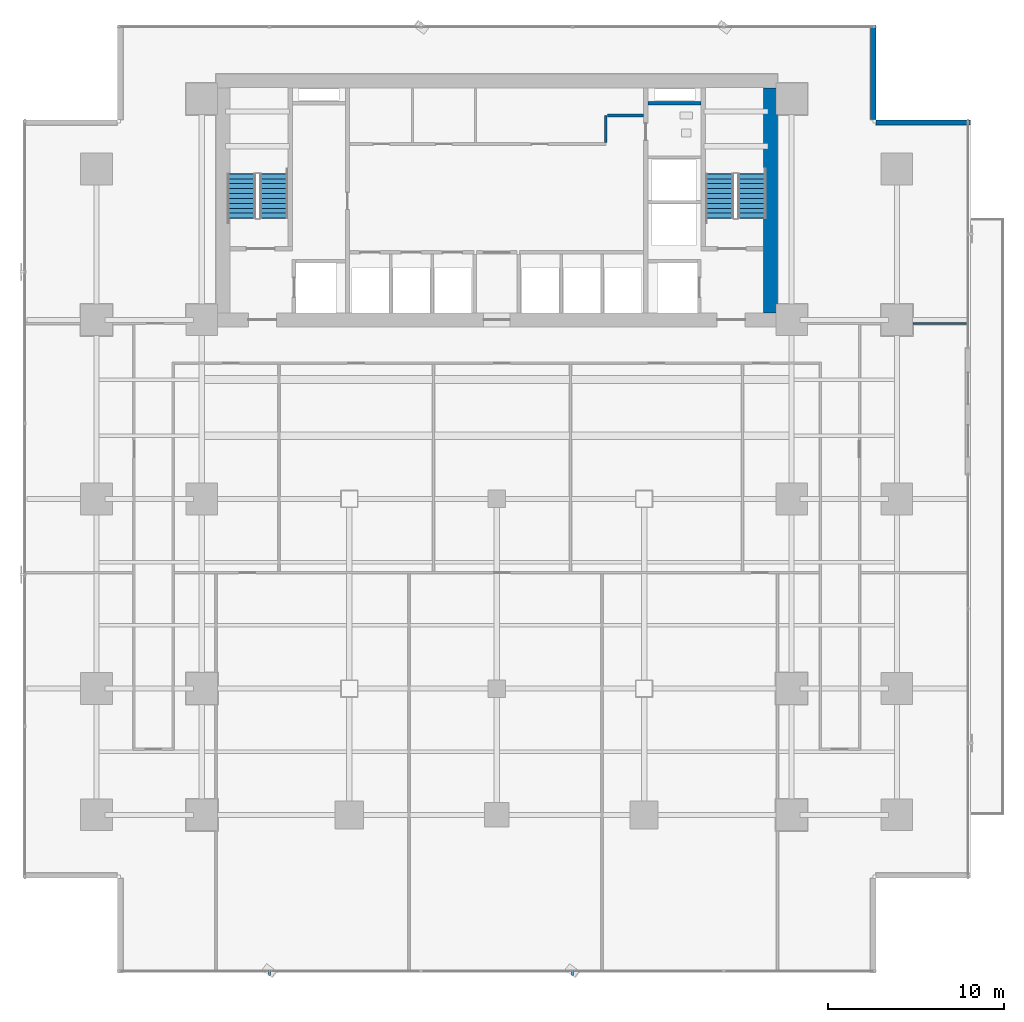
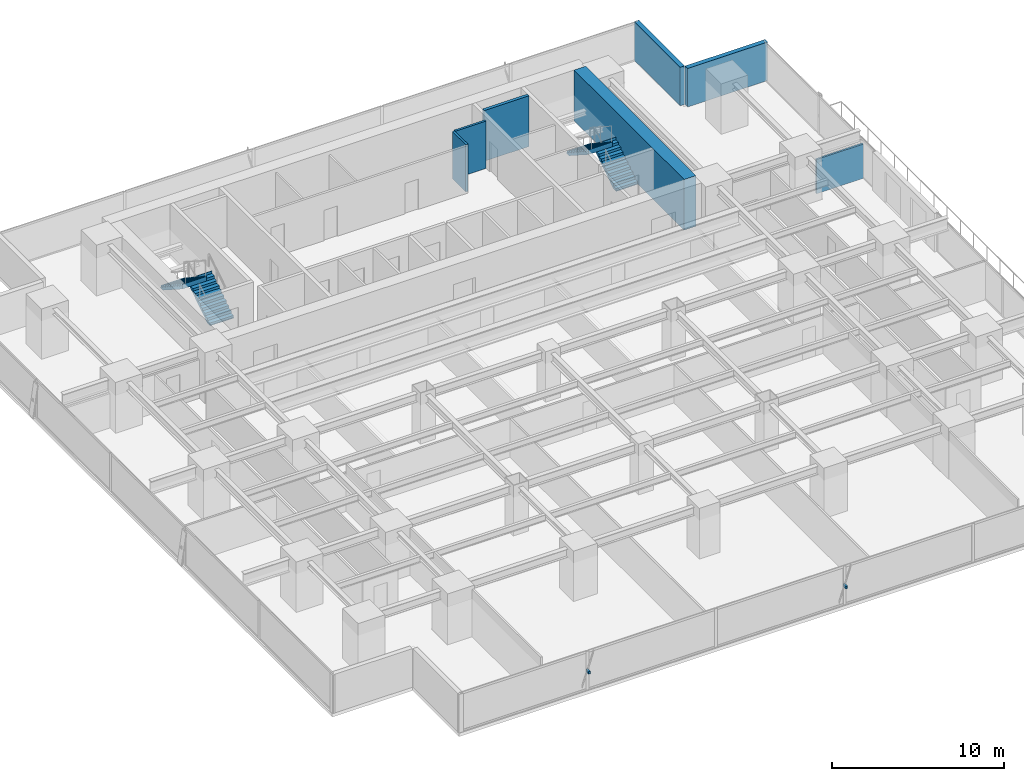
# One storey, part 27 of 33: 7 walls, 4 stair flights, 2 discrete accessories, 2 elements without a shape of their own.
"""IFC4 building model written with IfcOpenShell, lengths in metres."""

from ifc_helpers import new_model, si_unit, direction, frame, frame_2d, origin, origin_2d, place, context, subcontext, project, spatial, polyline, rectangle, outline, extrude, source, transform, mapped, material, layer, layer_set, material_profile, profile_set, type_object, element, aggregate, save


model = new_model("IFC4")

# Units and contexts
model_context = context("Model", 3, precision=1e-05, world=origin(), true_north=direction((0.0, 1.0)))
body_context = subcontext(model_context, "Body", "Model", "MODEL_VIEW")
ifc_project = project(units=[si_unit("LENGTHUNIT", "METRE"), si_unit("AREAUNIT", "SQUARE_METRE"), si_unit("VOLUMEUNIT", "CUBIC_METRE"), si_unit("PLANEANGLEUNIT", "RADIAN"), si_unit("MASSUNIT", "GRAM", prefix="KILO")], contexts=[model_context])

# Site, building, storey
site_placement = place(None, origin())
site = spatial("IfcSite", under=ifc_project, at=site_placement, CompositionType="ELEMENT")
building_placement = place(site_placement, origin())
building = spatial("IfcBuilding", under=site, at=building_placement, Name="Sumidabori Civic Tower", CompositionType="ELEMENT")
storey_placement = place(building_placement, frame((0.0, 0.0, 23.60009765625)))
storey = spatial("IfcBuildingStorey", under=building, at=storey_placement, Name="L05", CompositionType="ELEMENT", Elevation=23.60009765625)

# Walls
ifc_material_1 = material(Name="Concrete C60/75", Category="concrete")
ifc_layer_1 = layer(ifc_material_1, 0.800048828125, Name="Concrete C60/75")
ifc_layer_set_1 = layer_set([ifc_layer_1], Name="Concrete C60/75")
wall_type_1 = type_object("IfcWallType", Name="WL-CORE-800", PredefinedType="SHEAR", material=ifc_layer_set_1)
shared_shape_1 = source(origin(), body_context, "Body", "SweptSolid", [
    extrude(rectangle(XDim=12.7998046875, YDim=0.800048828125, at=frame_2d((6.39990234375, 0.0))), origin(), (0.0, 0.0, 1.0), 3.599853515625),
])
wall_1_placement = place(storey_placement, frame((15.60009765625, 10.60009765625, 0.0), z_axis=(0.0, 0.0, 1.0), x_axis=(0.0, 1.0, 0.0)))
element("IfcWall", 1, at=wall_1_placement, inside=storey, type_object=wall_type_1, Name="Core Shear Wall L05 E", PredefinedType="SHEAR", context=body_context, shape_type="MappedRepresentation", body=[
    mapped(shared_shape_1, transform((0.0, 0.0, 0.0), x_axis=(1.0, 0.0, 0.0), y_axis=(0.0, 1.0, 0.0), z_axis=(0.0, 0.0, 1.0), scale=1.0)),
])
ifc_material_2 = material(Name="Concrete C50/60", Category="concrete")
ifc_layer_2 = layer(ifc_material_2, 0.199951171875, Name="Concrete C50/60")
ifc_layer_set_2 = layer_set([ifc_layer_2], Name="Concrete C50/60")
wall_type_2 = type_object("IfcWallType", Name="WL-SHAFT-200", PredefinedType="SHEAR", material=ifc_layer_set_2)
shared_shape_2 = source(origin(), body_context, "Body", "SweptSolid", [
    extrude(rectangle(XDim=3.02001953125, YDim=0.199951171875, at=frame_2d((1.510009765625, 0.0))), origin(), (0.0, 0.0, 1.0), 3.599853515625),
])
wall_2_placement = place(storey_placement, frame((8.625, 22.550048828125, 0.0), z_axis=(0.0, 0.0, 1.0), x_axis=(1.0, 0.0, 0.0)))
element("IfcWall", 2, at=wall_2_placement, inside=storey, type_object=wall_type_2, Name="Core Shear Wall L05 RIS2-S", PredefinedType="SHEAR", context=body_context, shape_type="MappedRepresentation", body=[
    mapped(shared_shape_2, transform((0.0, 0.0, 0.0), x_axis=(1.0, 0.0, 0.0), y_axis=(0.0, 1.0, 0.0), z_axis=(0.0, 0.0, 1.0), scale=1.0)),
])
ifc_material_3 = material(Name="Precast concrete C40/50", Category="concrete")
ifc_layer_3 = layer(ifc_material_3, 0.300048828125, Name="Precast concrete C40/50")
ifc_layer_set_3 = layer_set([ifc_layer_3], Name="Precast concrete C40/50")
wall_type_3 = type_object("IfcWallType", Name="WL-EXT-POD300", PredefinedType="STANDARD", material=ifc_layer_set_3)
shared_shape_3 = source(origin(), body_context, "Body", "SweptSolid", [
    extrude(rectangle(XDim=5.35986328125, YDim=0.300048828125, at=frame_2d((2.679931640625, 0.0))), origin(), (0.0, 0.0, 1.0), 2.739990234375),
])
for number, where, z_axis, x_axis, name in (
    (3, (26.97998046875, 21.449951171875, 0.0), (0.0, 0.0, 1.0), (-1.0, 0.0, 0.0), "Notched Corner Spandrel Band L05-06"),
    (4, (21.449951171875, 21.6201171875, 0.0), (0.0, 0.0, 1.0), (0.0, 1.0, 0.0), "Notched Corner Spandrel Band L05-07"),
):
    element("IfcWall", number, at=place(storey_placement, frame(where, z_axis=z_axis, x_axis=x_axis)), inside=storey, type_object=wall_type_3, Name=name, PredefinedType="STANDARD", context=body_context, shape_type="MappedRepresentation", body=[
        mapped(shared_shape_3, transform((0.0, 0.0, 0.0), x_axis=(1.0, 0.0, 0.0), y_axis=(0.0, 1.0, 0.0), z_axis=(0.0, 0.0, 1.0), scale=1.0)),
    ])
ifc_material_4 = material(Name="Gypsum Plasterboard Acoustic Partition")
ifc_layer_4 = layer(ifc_material_4, 0.14990234375, Name="Gypsum Plasterboard Acoustic Partition")
ifc_layer_set_4 = layer_set([ifc_layer_4], Name="Gypsum Plasterboard Acoustic Partition")
wall_type_4 = type_object("IfcWallType", Name="WL-PART-150", PredefinedType="PARTITIONING", material=ifc_layer_set_4)
shared_shape_4 = source(origin(), body_context, "Body", "SweptSolid", [
    extrude(rectangle(XDim=1.550048828125, YDim=0.14990234375, at=frame_2d((0.77490234375, 0.0))), origin(), (0.0, 0.0, 1.0), 3.35986328125),
])
wall_3_placement = place(storey_placement, frame((6.219970703125, 20.300048828125, 0.0), z_axis=(0.0, 0.0, 1.0), x_axis=(0.0, 1.0, 0.0)))
element("IfcWall", 5, at=wall_3_placement, inside=storey, type_object=wall_type_4, Name="Interior Partition WL:L05:CBAND-ME1", PredefinedType="PARTITIONING", context=body_context, shape_type="MappedRepresentation", body=[
    mapped(shared_shape_4, transform((0.0, 0.0, 0.0), x_axis=(1.0, 0.0, 0.0), y_axis=(0.0, 1.0, 0.0), z_axis=(0.0, 0.0, 1.0), scale=1.0)),
])
shared_shape_5 = source(origin(), body_context, "Body", "SweptSolid", [
    extrude(rectangle(XDim=2.070068359375, YDim=0.14990234375, at=frame_2d((1.03515625, 0.0))), origin(), (0.0, 0.0, 1.0), 3.35986328125),
])
wall_4_placement = place(storey_placement, frame((6.300048828125, 21.85009765625, 0.0), z_axis=(0.0, 0.0, 1.0), x_axis=(1.0, 0.0, 0.0)))
element("IfcWall", 6, at=wall_4_placement, inside=storey, type_object=wall_type_4, Name="Interior Partition WL:L05:CBAND-ME2", PredefinedType="PARTITIONING", context=body_context, shape_type="MappedRepresentation", body=[
    mapped(shared_shape_5, transform((0.0, 0.0, 0.0), x_axis=(1.0, 0.0, 0.0), y_axis=(0.0, 1.0, 0.0), z_axis=(0.0, 0.0, 1.0), scale=1.0)),
])
ifc_layer_5 = layer(ifc_material_4, 0.1201171875, Name="Gypsum Plasterboard Acoustic Partition")
ifc_layer_set_5 = layer_set([ifc_layer_5], Name="Gypsum Plasterboard Acoustic Partition")
wall_type_5 = type_object("IfcWallType", Name="WL-PART-120", PredefinedType="PARTITIONING", material=ifc_layer_set_5)
shared_shape_6 = source(origin(), body_context, "Body", "SweptSolid", [
    extrude(rectangle(XDim=3.14013671875, YDim=0.1201171875, at=frame_2d((1.570068359375, 0.0))), origin(), (0.0, 0.0, 1.0), 2.434814453125),
])
wall_5_placement = place(storey_placement, frame((23.7099609375, 10.0, 0.0), z_axis=(0.0, 0.0, 1.0), x_axis=(1.0, 0.0, 0.0)))
element("IfcWall", 7, at=wall_5_placement, inside=storey, type_object=wall_type_5, Name="Interior Partition WL:L05:FLK-NE-2", PredefinedType="PARTITIONING", context=body_context, shape_type="MappedRepresentation", body=[
    mapped(shared_shape_6, transform((0.0, 0.0, 0.0), x_axis=(1.0, 0.0, 0.0), y_axis=(0.0, 1.0, 0.0), z_axis=(0.0, 0.0, 1.0), scale=1.0)),
])

# Stair, stair flights
ifc_material_5 = material(Name="Concrete C40/50", Category="concrete")
stair_type = type_object("IfcStairType", Name="ST-CORE-1600", PredefinedType="HALF_TURN_STAIR", material=ifc_material_5)
stair_1_placement = place(storey_placement, origin())
stair_1 = element("IfcStair", 8, at=stair_1_placement, inside=storey, type_object=stair_type, Name="L05 ST-1", PredefinedType="HALF_TURN_STAIR")
stair_flight_type = type_object("IfcStairFlightType", Name="SF-CORE-1600", PredefinedType="STRAIGHT", material=ifc_material_5)
shared_shape_7 = source(origin(), body_context, "Body", "SweptSolid", [
    extrude(outline(polyline([(-0.02490234375, 0.0), (-0.02490234375, 0.0400390625), (0.0, 0.0400390625), (0.0, 0.179931640625), (0.280029296875, 0.179931640625), (0.280029296875, 0.360107421875), (0.56005859375, 0.360107421875), (0.56005859375, 0.5400390625), (0.840087890625, 0.5400390625), (0.840087890625, 0.719970703125), (1.1201171875, 0.719970703125), (1.1201171875, 0.89990234375), (1.39990234375, 0.89990234375), (1.39990234375, 1.080078125), (1.679931640625, 1.080078125), (1.679931640625, 1.260009765625), (1.9599609375, 1.260009765625), (1.9599609375, 1.43994140625), (2.239990234375, 1.43994140625), (2.239990234375, 1.6201171875), (2.52001953125, 1.6201171875), (2.52001953125, 1.800048828125), (2.544921875, 1.800048828125), (2.544921875, 1.650146484375), (2.52001953125, 1.44189453125), (0.277099609375, 0.0), (-0.02490234375, 0.0)])), frame((0.0, 0.800048828125, 0.0), z_axis=(0.0, -1.0, 0.0), x_axis=(1.0, 0.0, 0.0)), (0.0, 0.0, 1.0), 1.60009765625),
])
stair_flight_1_placement = place(storey_placement, frame((-12.699951171875, 16.0, 0.0), z_axis=(0.0, 0.0, 1.0), x_axis=(0.0, 1.0, 0.0)))
stair_flight_1 = element("IfcStairFlight", 9, at=stair_flight_1_placement, type_object=stair_flight_type, Name="ST-1 flight 1", NumberOfRisers=10, NumberOfTreads=9, PredefinedType="STRAIGHT", RiserHeight=0.18, TreadLength=0.28, context=body_context, shape_type="MappedRepresentation", body=[
    mapped(shared_shape_7, transform((0.0, 0.0, 0.0), x_axis=(1.0, 0.0, 0.0), y_axis=(0.0, 1.0, 0.0), z_axis=(0.0, 0.0, 1.0), scale=1.0)),
])
stair_flight_2_placement = place(storey_placement, frame((-14.5400390625, 18.52001953125, 1.7998046875), z_axis=(0.0, 0.0, 1.0), x_axis=(0.0, -1.0, 0.0)))
stair_flight_2 = element("IfcStairFlight", 10, at=stair_flight_2_placement, type_object=stair_flight_type, Name="ST-1 flight 2", NumberOfRisers=10, NumberOfTreads=9, PredefinedType="STRAIGHT", RiserHeight=0.18, TreadLength=0.28, context=body_context, shape_type="MappedRepresentation", body=[
    mapped(shared_shape_7, transform((0.0, 0.0, 0.0), x_axis=(1.0, 0.0, 0.0), y_axis=(0.0, 1.0, 0.0), z_axis=(0.0, 0.0, 1.0), scale=1.0)),
])
aggregate(stair_1, [stair_flight_1, stair_flight_2])

stair_2_placement = place(storey_placement, origin())
stair_2 = element("IfcStair", 11, at=stair_2_placement, inside=storey, type_object=stair_type, Name="L05 ST-2", PredefinedType="HALF_TURN_STAIR")
stair_flight_3_placement = place(storey_placement, frame((14.5400390625, 16.0, 0.0), z_axis=(0.0, 0.0, 1.0), x_axis=(0.0, 1.0, 0.0)))
stair_flight_3 = element("IfcStairFlight", 12, at=stair_flight_3_placement, type_object=stair_flight_type, Name="ST-2 flight 1", NumberOfRisers=10, NumberOfTreads=9, PredefinedType="STRAIGHT", RiserHeight=0.18, TreadLength=0.28, context=body_context, shape_type="MappedRepresentation", body=[
    mapped(shared_shape_7, transform((0.0, 0.0, 0.0), x_axis=(1.0, 0.0, 0.0), y_axis=(0.0, 1.0, 0.0), z_axis=(0.0, 0.0, 1.0), scale=1.0)),
])
stair_flight_4_placement = place(storey_placement, frame((12.699951171875, 18.52001953125, 1.7998046875), z_axis=(0.0, 0.0, 1.0), x_axis=(0.0, -1.0, 0.0)))
stair_flight_4 = element("IfcStairFlight", 13, at=stair_flight_4_placement, type_object=stair_flight_type, Name="ST-2 flight 2", NumberOfRisers=10, NumberOfTreads=9, PredefinedType="STRAIGHT", RiserHeight=0.18, TreadLength=0.28, context=body_context, shape_type="MappedRepresentation", body=[
    mapped(shared_shape_7, transform((0.0, 0.0, 0.0), x_axis=(1.0, 0.0, 0.0), y_axis=(0.0, 1.0, 0.0), z_axis=(0.0, 0.0, 1.0), scale=1.0)),
])
aggregate(stair_2, [stair_flight_3, stair_flight_4])

# Discrete accessories
ifc_material_6 = material(Name="Stainless Steel Hairline Finish", Category="steel")
ifc_material_profile = material_profile(ifc_material_6, rectangle(XDim=0.1201171875, YDim=0.179931640625, at=origin_2d()), Name="STEEL BRACKET 180x120")
ifc_profile_set = profile_set([ifc_material_profile], Name="Stainless Steel Hairline Finish")
discrete_accessory_type = type_object("IfcDiscreteAccessoryType", Name="AC-BRK-180", PredefinedType="BRACKET", material=ifc_profile_set)
shared_shape_8 = source(origin(), body_context, "Body", "SweptSolid", [
    extrude(rectangle(XDim=0.1201171875, YDim=0.179931640625, at=origin_2d()), origin(), (0.0, 0.0, 1.0), 0.329833984375),
])
for number, where, z_axis, x_axis, name in (
    (14, (-12.94189453125, -26.830078125, 1.35986328125), (0.0, -1.0, 0.0), (1.0, 0.0, 0.0), "Bronze Fin Fixing Bracket L05-01"),
    (15, (4.31396484375, -26.830078125, 1.35986328125), (0.0, -1.0, 0.0), (1.0, 0.0, 0.0), "Bronze Fin Fixing Bracket L05-03"),
):
    element("IfcDiscreteAccessory", number, at=place(storey_placement, frame(where, z_axis=z_axis, x_axis=x_axis)), inside=storey, type_object=discrete_accessory_type, Name=name, PredefinedType="BRACKET", context=body_context, shape_type="MappedRepresentation", body=[
        mapped(shared_shape_8, transform((0.0, 0.0, 0.0), x_axis=(1.0, 0.0, 0.0), y_axis=(0.0, 1.0, 0.0), z_axis=(0.0, 0.0, 1.0), scale=1.0)),
    ])

save(model, "model.ifc")
